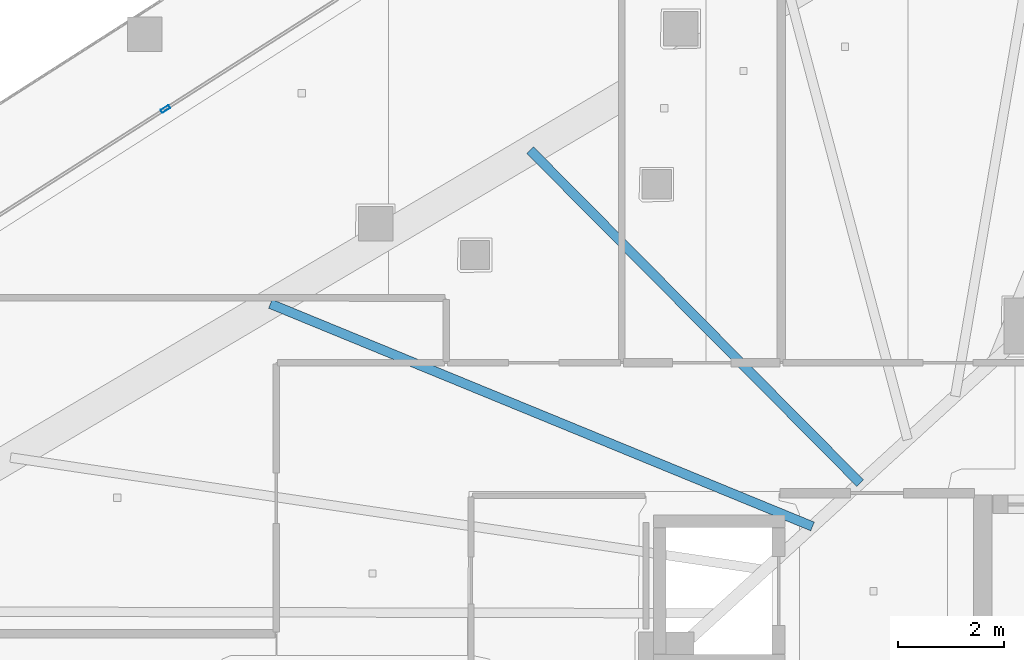
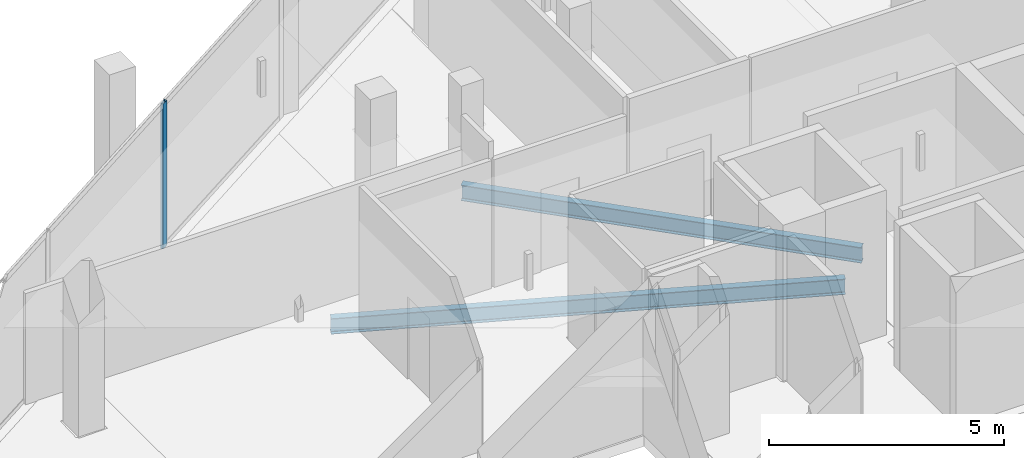
# One storey, part 16 of 44: 2 beams, 1 member, 1 element without a shape of its own.
"""IFC4 building model written with IfcOpenShell, lengths in metres."""

from ifc_helpers import new_model, si_unit, direction, frame, origin, origin_2d, place, context, subcontext, project, spatial, hollow_rectangle, i_section, extrude, material, layer, layer_set, material_profile, profile_set, type_object, element, aggregate, save


model = new_model("IFC4")

# Units and contexts
model_context = context("Model", 3, precision=1e-05, world=origin(), true_north=direction((0.0, 1.0)))
body_context = subcontext(model_context, "Body", "Model", "MODEL_VIEW")
ifc_project = project(units=[si_unit("LENGTHUNIT", "METRE"), si_unit("AREAUNIT", "SQUARE_METRE"), si_unit("VOLUMEUNIT", "CUBIC_METRE"), si_unit("PLANEANGLEUNIT", "RADIAN"), si_unit("MASSUNIT", "GRAM", prefix="KILO")], contexts=[model_context])

# Site, building, storey
site_placement = place(None, origin())
site = spatial("IfcSite", under=ifc_project, at=site_placement, CompositionType="ELEMENT")
building_placement = place(site_placement, origin())
building = spatial("IfcBuilding", under=site, at=building_placement, Name="Qorvath Tower", CompositionType="ELEMENT")
storey_placement = place(building_placement, frame((0.0, 0.0, 113.85009765625)))
storey = spatial("IfcBuildingStorey", under=building, at=storey_placement, Name="L25", CompositionType="ELEMENT", Elevation=113.85009765625)

# Beams
ifc_material_1 = material(Name="Steel ASTM A992 Grade 50", Category="steel")
ifc_material_profile_1 = material_profile(ifc_material_1, i_section(OverallWidth=0.177978515625, OverallDepth=0.406005859375, WebThickness=0.0078125, FlangeThickness=0.0126953125, FilletRadius=0.010986328125, at=origin_2d()), Name="W16x40")
ifc_profile_set_1 = profile_set([ifc_material_profile_1], Name="Steel ASTM A992 Grade 50")
beam_type = type_object("IfcBeamType", Name="BM-FJ3", PredefinedType="JOIST", material=ifc_profile_set_1)
beam_1_placement = place(storey_placement, frame((-27.739990234375, 7.669921875, -0.48291015625), z_axis=(-0.925068176006, 0.379801092338, 0.0), x_axis=(-0.379801092338, -0.925068176006, 0.0)))
element("IfcBeam", 1, at=beam_1_placement, inside=storey, type_object=beam_type, Name="Composite Floor Joist NW3 L25", PredefinedType="JOIST", context=body_context, shape_type="SweptSolid", body=[
    extrude(i_section(OverallWidth=0.177978515625, OverallDepth=0.406005859375, WebThickness=0.0078125, FlangeThickness=0.0126953125, FilletRadius=0.010986328125, at=origin_2d()), origin(), (0.0, 0.0, 1.0), 11.0556640625),
])
beam_2_placement = place(storey_placement, frame((-26.843017578125, 8.489013671875, -0.48291015625), z_axis=(-0.70395121362, 0.710248328997, 0.0), x_axis=(-0.710248328997, -0.70395121362, 0.0)))
element("IfcBeam", 2, at=beam_2_placement, inside=storey, type_object=beam_type, Name="Composite Floor Joist NW4 L25", PredefinedType="JOIST", context=body_context, shape_type="SweptSolid", body=[
    extrude(i_section(OverallWidth=0.177978515625, OverallDepth=0.406005859375, WebThickness=0.0078125, FlangeThickness=0.0126953125, FilletRadius=0.010986328125, at=origin_2d()), origin(), (0.0, 0.0, 1.0), 8.839599609375),
])

# Curtain wall, member
ifc_material_2 = material(Name="Anodised aluminium and triple low-E glass", Category="aluminium")
ifc_layer = layer(ifc_material_2, 0.179931640625)
ifc_layer_set = layer_set([ifc_layer], Name="CW-SYS-2")
curtain_wall_type = type_object("IfcCurtainWallType", Name="CW-SYS-2", PredefinedType="NOTDEFINED", material=ifc_layer_set)
curtain_wall_placement = place(storey_placement, origin())
curtain_wall = element("IfcCurtainWall", 3, at=curtain_wall_placement, inside=storey, type_object=curtain_wall_type, Name="Curtain Wall CW-2 CW-T-L25-16.3", PredefinedType="NOTDEFINED")
ifc_material_3 = material(Name="Anodised aluminium 6063-T6", Category="aluminium")
ifc_material_profile_2 = material_profile(ifc_material_3, hollow_rectangle(XDim=0.06494140625, YDim=0.179931640625, WallThickness=0.00341796875, InnerFilletRadius=0.00341796875, OuterFilletRadius=0.007080078125, at=origin_2d()), Name="CWM 180x65")
ifc_profile_set_2 = profile_set([ifc_material_profile_2], Name="Anodised aluminium 6063-T6")
member_type = type_object("IfcMemberType", Name="CWM-180", PredefinedType="MULLION", material=ifc_profile_set_2)
member_placement = place(storey_placement, frame((-39.94775390625, 15.54443359375, 0.0), z_axis=(0.0, 0.0, 1.0), x_axis=(0.538529946269, -0.84260637131, 0.0)))
member = element("IfcMember", 4, at=member_placement, type_object=member_type, Name="CW-2 mullion 2", PredefinedType="MULLION", context=body_context, shape_type="SweptSolid", body=[
    extrude(hollow_rectangle(XDim=0.06494140625, YDim=0.179931640625, WallThickness=0.00341796875, InnerFilletRadius=0.00341796875, OuterFilletRadius=0.007080078125, at=origin_2d()), origin(), (0.0, 0.0, 1.0), 3.77001953125),
])
aggregate(curtain_wall, [member])

save(model, "model.ifc")
